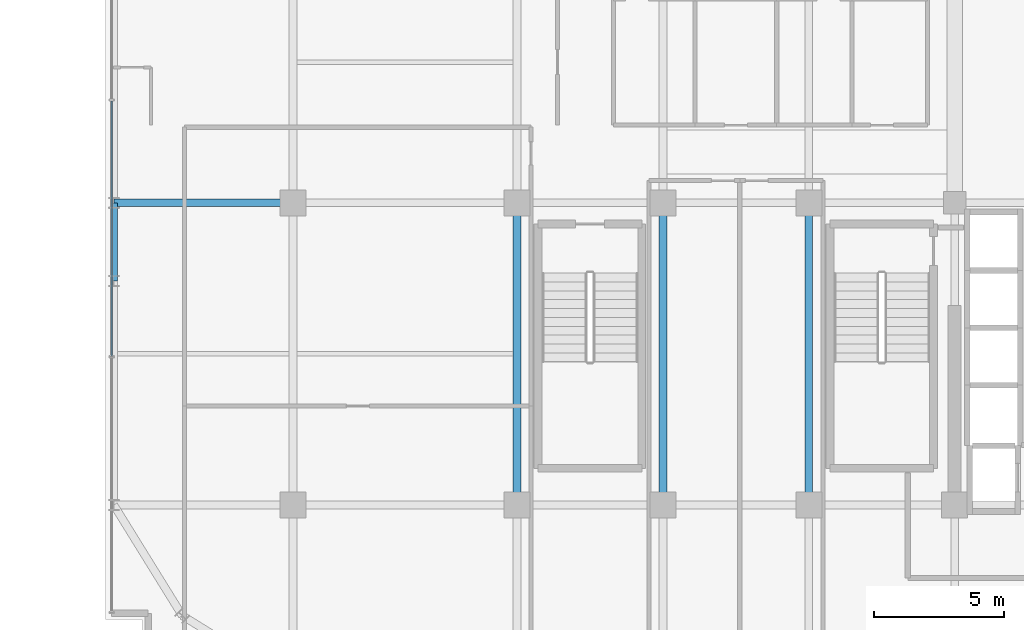
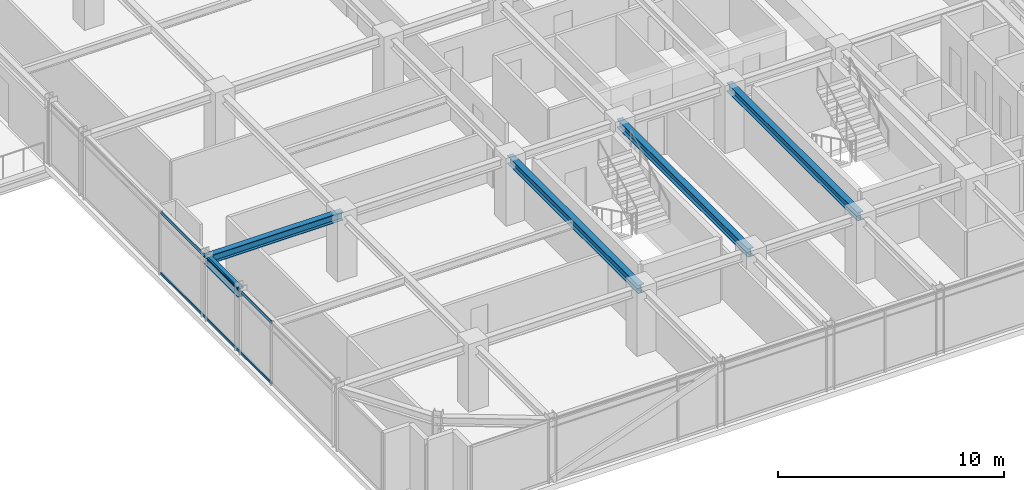
# One storey, part 9 of 41: 5 beams, 2 members, 1 element without a shape of its own.
"""IFC4 building model written with IfcOpenShell, lengths in metres."""

from ifc_helpers import new_model, si_unit, direction, frame, origin, origin_2d, place, context, subcontext, project, spatial, hollow_rectangle, i_section, extrude, source, transform, mapped, material, material_profile, profile_set, type_object, element, aggregate, save


model = new_model("IFC4")

# Units and contexts
model_context = context("Model", 3, precision=1e-05, world=origin(), true_north=direction((0.0, 1.0)))
body_context = subcontext(model_context, "Body", "Model", "MODEL_VIEW")
ifc_project = project(units=[si_unit("LENGTHUNIT", "METRE"), si_unit("AREAUNIT", "SQUARE_METRE"), si_unit("VOLUMEUNIT", "CUBIC_METRE"), si_unit("PLANEANGLEUNIT", "RADIAN"), si_unit("MASSUNIT", "GRAM", prefix="KILO")], contexts=[model_context])

# Site, building, storey
site_placement = place(None, origin())
site = spatial("IfcSite", under=ifc_project, at=site_placement, CompositionType="ELEMENT")
building_placement = place(site_placement, origin())
building = spatial("IfcBuilding", under=site, at=building_placement, Name="Nahalor Promenade Grand Hotel", CompositionType="ELEMENT")
storey_placement = place(building_placement, frame((0.0, 0.0, 227.10009765625)))
storey = spatial("IfcBuildingStorey", under=building, at=storey_placement, Name="L58", CompositionType="ELEMENT", Elevation=227.10009765625)

# Beams
ifc_material_1 = material(Name="Steel S355JR", Category="steel")
ifc_material_profile_1 = material_profile(ifc_material_1, i_section(OverallWidth=0.3, OverallDepth=0.45, WebThickness=0.014, FlangeThickness=0.026, at=origin_2d()), Name="HEB 450")
ifc_profile_set_1 = profile_set([ifc_material_profile_1], Name="Steel S355JR")
beam_type_1 = type_object("IfcBeamType", Name="Beam-Spandrel-HEB450", PredefinedType="SPANDREL", material=ifc_profile_set_1)
shared_shape_1 = source(origin(), body_context, "Body", "SweptSolid", [
    extrude(i_section(OverallWidth=0.3, OverallDepth=0.45, WebThickness=0.014, FlangeThickness=0.026, at=origin_2d()), origin(), (0.0, 0.0, 1.0), 3.0),
])
beam_1_placement = place(storey_placement, frame((-23.8798828125, -8.39990234375, 3.184814453125), z_axis=(0.0, 1.0, 0.0), x_axis=(-1.0, 0.0, 0.0)))
element("IfcBeam", 1, at=beam_1_placement, inside=storey, type_object=beam_type_1, Name="BM-L58-SP-W-1", PredefinedType="SPANDREL", context=body_context, shape_type="MappedRepresentation", body=[
    mapped(shared_shape_1, transform((0.0, 0.0, 0.0), scale=1.0)),
])
ifc_material_profile_2 = material_profile(ifc_material_1, i_section(OverallWidth=0.3, OverallDepth=0.45, WebThickness=0.014, FlangeThickness=0.026, at=origin_2d()), Name="HEB 450")
ifc_profile_set_2 = profile_set([ifc_material_profile_2], Name="Steel S355JR")
beam_type_2 = type_object("IfcBeamType", Name="Beam-Girder-HEB450", PredefinedType="BEAM", material=ifc_profile_set_2)
shared_shape_2 = source(origin(), body_context, "Body", "SweptSolid", [
    extrude(i_section(OverallWidth=0.3, OverallDepth=0.45, WebThickness=0.014, FlangeThickness=0.026, at=origin_2d()), origin(), (0.0, 0.0, 1.0), 6.8798828125),
])
beam_2_placement = place(storey_placement, frame((-23.8798828125, -5.39990234375, 3.184814453125), z_axis=(1.0, 0.0, 0.0), x_axis=(0.0, 1.0, 0.0)))
element("IfcBeam", 2, at=beam_2_placement, inside=storey, type_object=beam_type_2, Name="BM-L58-GX-1-0", PredefinedType="BEAM", context=body_context, shape_type="MappedRepresentation", body=[
    mapped(shared_shape_2, transform((0.0, 0.0, 0.0), scale=1.0)),
])
shared_shape_3 = source(origin(), body_context, "Body", "SweptSolid", [
    extrude(i_section(OverallWidth=0.3, OverallDepth=0.45, WebThickness=0.014, FlangeThickness=0.026, at=origin_2d()), origin(), (0.0, 0.0, 1.0), 11.60009765625),
])
for number, where, z_axis, x_axis, name in (
    (3, (-8.39990234375, -17.0, 3.184814453125), (0.0, 1.0, 0.0), (-1.0, 0.0, 0.0), "BM-L58-GY-1-1"),
    (4, (-2.800048828125, -17.0, 3.184814453125), (0.0, 1.0, 0.0), (-1.0, 0.0, 0.0), "BM-L58-GY-2-1"),
    (5, (2.800048828125, -17.0, 3.184814453125), (0.0, 1.0, 0.0), (-1.0, 0.0, 0.0), "BM-L58-GY-3-1"),
):
    element("IfcBeam", number, at=place(storey_placement, frame(where, z_axis=z_axis, x_axis=x_axis)), inside=storey, type_object=beam_type_2, Name=name, PredefinedType="BEAM", context=body_context, shape_type="MappedRepresentation", body=[
        mapped(shared_shape_3, transform((0.0, 0.0, 0.0), scale=1.0)),
    ])

# Curtain wall, members
ifc_material_2 = material(Name="Anodised Bronze Aluminium EN AW-6063 T6", Category="aluminium")
curtain_wall_type = type_object("IfcCurtainWallType", Name="CW2 Typical Hotel Flush Bronze Unitised Curtain Wall", PredefinedType="USERDEFINED", material=ifc_material_2)
curtain_wall_placement = place(storey_placement, origin())
curtain_wall = element("IfcCurtainWall", 6, at=curtain_wall_placement, inside=storey, type_object=curtain_wall_type, Name="L58 Curtain Wall CW-L58-W-1", ObjectType="UNITISED_CURTAIN_WALL", PredefinedType="USERDEFINED")
ifc_material_profile_3 = material_profile(ifc_material_2, hollow_rectangle(XDim=0.065, YDim=0.13, WallThickness=0.004, at=origin_2d()), Name="CWT 65x130x4")
ifc_profile_set_3 = profile_set([ifc_material_profile_3], Name="Anodised Bronze Aluminium EN AW-6063 T6")
member_type = type_object("IfcMemberType", Name="CWT2 Typical Bronze Transom 65x130", PredefinedType="USERDEFINED", material=ifc_profile_set_3)
shared_shape_4 = source(origin(), body_context, "Body", "SweptSolid", [
    extrude(hollow_rectangle(XDim=0.065, YDim=0.13, WallThickness=0.004, at=origin_2d()), origin(), (0.0, 0.0, 1.0), 9.788330078125),
])
member_1_placement = place(storey_placement, frame((-23.9599609375, -11.274169921875, 0.06494140625), z_axis=(0.0, 1.0, 0.0), x_axis=(-1.0, 0.0, 0.0)))
member_1 = element("IfcMember", 7, at=member_1_placement, type_object=member_type, Name="CW-L58-W-1 Transom 1-0", ObjectType="TRANSOM", PredefinedType="USERDEFINED", context=body_context, shape_type="MappedRepresentation", body=[
    mapped(shared_shape_4, transform((0.0, 0.0, 0.0), scale=1.0)),
])
member_2_placement = place(storey_placement, frame((-23.9599609375, -11.274169921875, 3.344970703125), z_axis=(0.0, 1.0, 0.0), x_axis=(-1.0, 0.0, 0.0)))
member_2 = element("IfcMember", 8, at=member_2_placement, type_object=member_type, Name="CW-L58-W-1 Transom 1-1", ObjectType="TRANSOM", PredefinedType="USERDEFINED", context=body_context, shape_type="MappedRepresentation", body=[
    mapped(shared_shape_4, transform((0.0, 0.0, 0.0), scale=1.0)),
])
aggregate(curtain_wall, [member_1, member_2])

save(model, "model.ifc")
